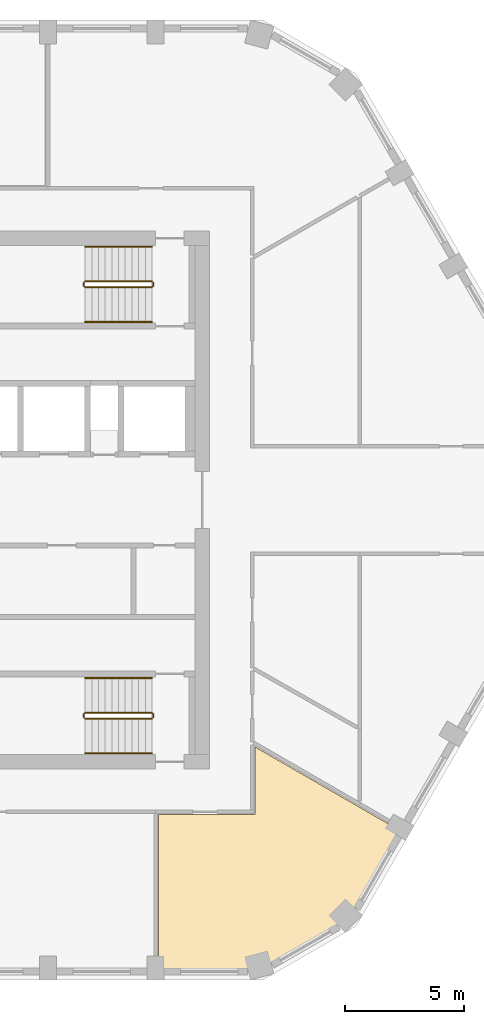
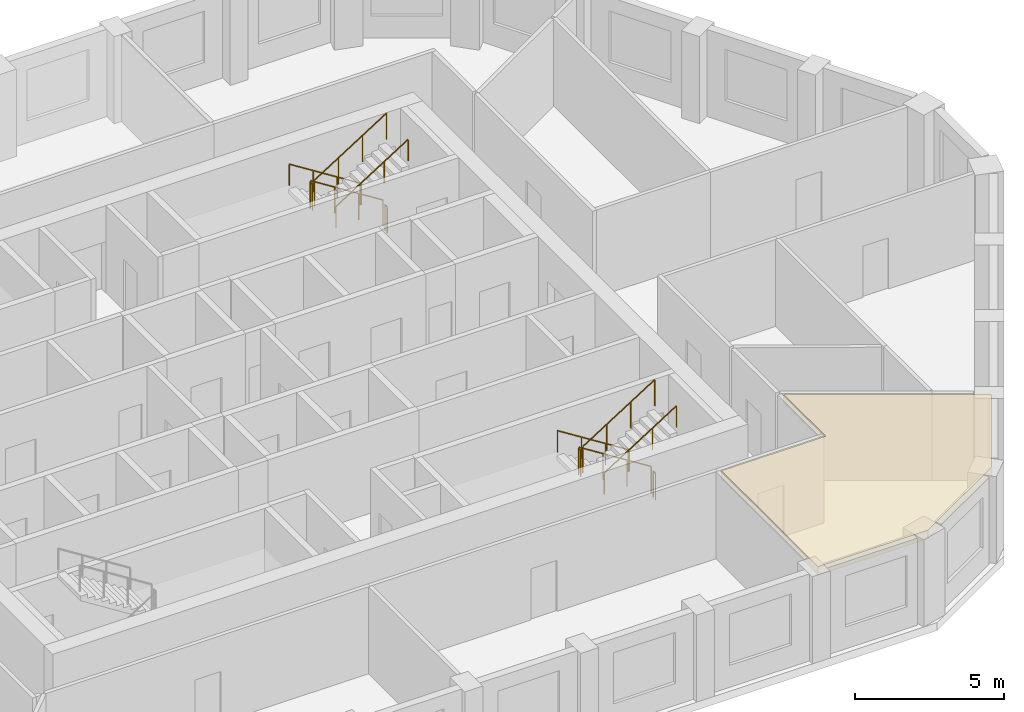
# One storey, part 9 of 10: 12 railings, 1 covering.
"""IFC4 building model written with IfcOpenShell, lengths in metres."""

from ifc_helpers import new_model, si_unit, direction, frame, origin, origin_2d, place, context, subcontext, project, spatial, polyline, circle, outline, extrude, material, layer, layer_set, type_object, element, save


model = new_model("IFC4")

# Units and contexts
model_context = context("Model", 3, precision=1e-05, world=origin(), true_north=direction((0.0, 1.0)))
body_context = subcontext(model_context, "Body", "Model", "MODEL_VIEW")
ifc_project = project(units=[si_unit("LENGTHUNIT", "METRE"), si_unit("AREAUNIT", "SQUARE_METRE"), si_unit("VOLUMEUNIT", "CUBIC_METRE"), si_unit("PLANEANGLEUNIT", "RADIAN"), si_unit("MASSUNIT", "GRAM", prefix="KILO")], contexts=[model_context])

# Site, building, storey
site_placement = place(None, origin())
site = spatial("IfcSite", under=ifc_project, at=site_placement, CompositionType="ELEMENT")
building_placement = place(site_placement, origin())
building = spatial("IfcBuilding", under=site, at=building_placement, Name="Dhurran Vertical Campus", CompositionType="ELEMENT")
storey_placement = place(building_placement, frame((0.0, 0.0, 246.89990234375)))
storey = spatial("IfcBuildingStorey", under=building, at=storey_placement, Name="L61", CompositionType="ELEMENT", Elevation=246.89990234375)

# Railings
ifc_material_1 = material(Name="Stainless steel balustrade", Category="steel")
railing_type_1 = type_object("IfcRailingType", Name="co-RL-GUARD-1100", PredefinedType="GUARDRAIL", material=ifc_material_1)
railing_1_placement = place(storey_placement, frame((11.10009765625, 9.14990234375, 0.177490234375)))
element("IfcRailing", 1, at=railing_1_placement, inside=storey, type_object=railing_type_1, Name="L61 ST2 stair guard 1", PredefinedType="GUARDRAIL", context=body_context, shape_type="SweptSolid", body=[
    extrude(circle(Radius=0.02392578125, at=origin_2d()), frame((0.0, 0.0, 1.076171875), z_axis=(-0.844908973607, 0.0, 0.534910110503), x_axis=(0.0, -1.0, 0.0)), (0.0, 0.0, 1.0), 3.31396484375),
    extrude(circle(Radius=0.02099609375, at=origin_2d()), origin(), (0.0, 0.0, 1.0), 1.052001953125),
    extrude(circle(Radius=0.02099609375, at=origin_2d()), frame((-0.933349609375, 0.0, 0.5908203125)), (0.0, 0.0, 1.0), 1.052001953125),
    extrude(circle(Radius=0.02099609375, at=origin_2d()), frame((-1.86669921875, 0.0, 1.181884765625)), (0.0, 0.0, 1.0), 1.052001953125),
    extrude(circle(Radius=0.02099609375, at=origin_2d()), frame((-2.800048828125, 0.0, 1.772705078125)), (0.0, 0.0, 1.0), 1.052001953125),
])
railing_2_placement = place(storey_placement, frame((8.25, 9.10009765625, 1.9501953125)))
element("IfcRailing", 2, at=railing_2_placement, inside=storey, type_object=railing_type_1, Name="L61 ST2 stair guard 2", PredefinedType="GUARDRAIL", context=body_context, shape_type="SweptSolid", body=[
    extrude(circle(Radius=0.02392578125, at=origin_2d()), frame((0.0, 0.0, 1.076171875), z_axis=(0.0, -1.0, 0.0), x_axis=(1.0, 0.0, 0.0)), (0.0, 0.0, 1.0), 0.150146484375),
    extrude(circle(Radius=0.02099609375, at=origin_2d()), origin(), (0.0, 0.0, 1.0), 1.052001953125),
    extrude(circle(Radius=0.02099609375, at=origin_2d()), frame((0.0, -0.150146484375, 0.0)), (0.0, 0.0, 1.0), 1.052001953125),
])
railing_3_placement = place(storey_placement, frame((8.300048828125, 8.89990234375, 2.12744140625)))
element("IfcRailing", 3, at=railing_3_placement, inside=storey, type_object=railing_type_1, Name="L61 ST2 stair guard 3", PredefinedType="GUARDRAIL", context=body_context, shape_type="SweptSolid", body=[
    extrude(circle(Radius=0.02392578125, at=origin_2d()), frame((0.0, 0.0, 1.076171875), z_axis=(0.844908973607, 0.0, 0.534910110503), x_axis=(0.0, 1.0, 0.0)), (0.0, 0.0, 1.0), 3.31396484375),
    extrude(circle(Radius=0.02099609375, at=origin_2d()), origin(), (0.0, 0.0, 1.0), 1.052001953125),
    extrude(circle(Radius=0.02099609375, at=origin_2d()), frame((0.933349609375, 0.0, 0.5908203125)), (0.0, 0.0, 1.0), 1.052001953125),
    extrude(circle(Radius=0.02099609375, at=origin_2d()), frame((1.86669921875, 0.0, 1.181884765625)), (0.0, 0.0, 1.0), 1.052001953125),
    extrude(circle(Radius=0.02099609375, at=origin_2d()), frame((2.800048828125, 0.0, 1.772705078125)), (0.0, 0.0, 1.0), 1.052001953125),
])
railing_4_placement = place(storey_placement, frame((11.14990234375, 9.10009765625, 0.0)))
element("IfcRailing", 4, at=railing_4_placement, inside=storey, type_object=railing_type_1, Name="L61 ST2 stair guard 4", PredefinedType="GUARDRAIL", context=body_context, shape_type="SweptSolid", body=[
    extrude(circle(Radius=0.02392578125, at=origin_2d()), frame((0.0, 0.0, 1.076171875), z_axis=(0.0, -1.0, 0.0), x_axis=(1.0, 0.0, 0.0)), (0.0, 0.0, 1.0), 0.150146484375),
    extrude(circle(Radius=0.02099609375, at=origin_2d()), origin(), (0.0, 0.0, 1.0), 1.052001953125),
    extrude(circle(Radius=0.02099609375, at=origin_2d()), frame((0.0, -0.150146484375, 0.0)), (0.0, 0.0, 1.0), 1.052001953125),
])
railing_5_placement = place(storey_placement, frame((11.10009765625, -8.89990234375, 0.177490234375)))
element("IfcRailing", 5, at=railing_5_placement, inside=storey, type_object=railing_type_1, Name="L61 ST4 stair guard 1", PredefinedType="GUARDRAIL", context=body_context, shape_type="SweptSolid", body=[
    extrude(circle(Radius=0.02392578125, at=origin_2d()), frame((0.0, 0.0, 1.076171875), z_axis=(-0.844908973607, 0.0, 0.534910110503), x_axis=(0.0, -1.0, 0.0)), (0.0, 0.0, 1.0), 3.31396484375),
    extrude(circle(Radius=0.02099609375, at=origin_2d()), origin(), (0.0, 0.0, 1.0), 1.052001953125),
    extrude(circle(Radius=0.02099609375, at=origin_2d()), frame((-0.933349609375, 0.0, 0.5908203125)), (0.0, 0.0, 1.0), 1.052001953125),
    extrude(circle(Radius=0.02099609375, at=origin_2d()), frame((-1.86669921875, 0.0, 1.181884765625)), (0.0, 0.0, 1.0), 1.052001953125),
    extrude(circle(Radius=0.02099609375, at=origin_2d()), frame((-2.800048828125, 0.0, 1.772705078125)), (0.0, 0.0, 1.0), 1.052001953125),
])
railing_6_placement = place(storey_placement, frame((8.25, -8.949951171875, 1.9501953125)))
element("IfcRailing", 6, at=railing_6_placement, inside=storey, type_object=railing_type_1, Name="L61 ST4 stair guard 2", PredefinedType="GUARDRAIL", context=body_context, shape_type="SweptSolid", body=[
    extrude(circle(Radius=0.02392578125, at=origin_2d()), frame((0.0, 0.0, 1.076171875), z_axis=(0.0, -1.0, 0.0), x_axis=(1.0, 0.0, 0.0)), (0.0, 0.0, 1.0), 0.150146484375),
    extrude(circle(Radius=0.02099609375, at=origin_2d()), origin(), (0.0, 0.0, 1.0), 1.052001953125),
    extrude(circle(Radius=0.02099609375, at=origin_2d()), frame((0.0, -0.150146484375, 0.0)), (0.0, 0.0, 1.0), 1.052001953125),
])
railing_7_placement = place(storey_placement, frame((8.300048828125, -9.14990234375, 2.12744140625)))
element("IfcRailing", 7, at=railing_7_placement, inside=storey, type_object=railing_type_1, Name="L61 ST4 stair guard 3", PredefinedType="GUARDRAIL", context=body_context, shape_type="SweptSolid", body=[
    extrude(circle(Radius=0.02392578125, at=origin_2d()), frame((0.0, 0.0, 1.076171875), z_axis=(0.844908973607, 0.0, 0.534910110503), x_axis=(0.0, 1.0, 0.0)), (0.0, 0.0, 1.0), 3.31396484375),
    extrude(circle(Radius=0.02099609375, at=origin_2d()), origin(), (0.0, 0.0, 1.0), 1.052001953125),
    extrude(circle(Radius=0.02099609375, at=origin_2d()), frame((0.933349609375, 0.0, 0.5908203125)), (0.0, 0.0, 1.0), 1.052001953125),
    extrude(circle(Radius=0.02099609375, at=origin_2d()), frame((1.86669921875, 0.0, 1.181884765625)), (0.0, 0.0, 1.0), 1.052001953125),
    extrude(circle(Radius=0.02099609375, at=origin_2d()), frame((2.800048828125, 0.0, 1.772705078125)), (0.0, 0.0, 1.0), 1.052001953125),
])
railing_8_placement = place(storey_placement, frame((11.14990234375, -8.949951171875, 0.0)))
element("IfcRailing", 8, at=railing_8_placement, inside=storey, type_object=railing_type_1, Name="L61 ST4 stair guard 4", PredefinedType="GUARDRAIL", context=body_context, shape_type="SweptSolid", body=[
    extrude(circle(Radius=0.02392578125, at=origin_2d()), frame((0.0, 0.0, 1.076171875), z_axis=(0.0, -1.0, 0.0), x_axis=(1.0, 0.0, 0.0)), (0.0, 0.0, 1.0), 0.150146484375),
    extrude(circle(Radius=0.02099609375, at=origin_2d()), origin(), (0.0, 0.0, 1.0), 1.052001953125),
    extrude(circle(Radius=0.02099609375, at=origin_2d()), frame((0.0, -0.150146484375, 0.0)), (0.0, 0.0, 1.0), 1.052001953125),
])
ifc_material_2 = material(Name="Stainless steel handrail", Category="steel")
railing_type_2 = type_object("IfcRailingType", Name="co-RL-HANDRAIL-900", PredefinedType="HANDRAIL", material=ifc_material_2)
railing_9_placement = place(storey_placement, frame((11.10009765625, 10.60009765625, 0.177490234375)))
element("IfcRailing", 9, at=railing_9_placement, inside=storey, type_object=railing_type_2, Name="L61 ST2 stair handrail 1", PredefinedType="HANDRAIL", context=body_context, shape_type="SweptSolid", body=[
    extrude(circle(Radius=0.02392578125, at=origin_2d()), frame((0.0, 0.0, 0.8759765625), z_axis=(-0.844908973607, 0.0, 0.534910110503), x_axis=(0.0, -1.0, 0.0)), (0.0, 0.0, 1.0), 3.31396484375),
    extrude(circle(Radius=0.02099609375, at=origin_2d()), origin(), (0.0, 0.0, 1.0), 0.851806640625),
    extrude(circle(Radius=0.02099609375, at=origin_2d()), frame((-0.933349609375, 0.0, 0.5908203125)), (0.0, 0.0, 1.0), 0.851806640625),
    extrude(circle(Radius=0.02099609375, at=origin_2d()), frame((-1.86669921875, 0.0, 1.181884765625)), (0.0, 0.0, 1.0), 0.851806640625),
    extrude(circle(Radius=0.02099609375, at=origin_2d()), frame((-2.800048828125, 0.0, 1.772705078125)), (0.0, 0.0, 1.0), 0.851806640625),
])
railing_10_placement = place(storey_placement, frame((8.300048828125, 7.449951171875, 2.12744140625)))
element("IfcRailing", 10, at=railing_10_placement, inside=storey, type_object=railing_type_2, Name="L61 ST2 stair handrail 2", PredefinedType="HANDRAIL", context=body_context, shape_type="SweptSolid", body=[
    extrude(circle(Radius=0.02392578125, at=origin_2d()), frame((0.0, 0.0, 0.8759765625), z_axis=(0.844908973607, 0.0, 0.534910110503), x_axis=(0.0, 1.0, 0.0)), (0.0, 0.0, 1.0), 3.31396484375),
    extrude(circle(Radius=0.02099609375, at=origin_2d()), origin(), (0.0, 0.0, 1.0), 0.851806640625),
    extrude(circle(Radius=0.02099609375, at=origin_2d()), frame((0.933349609375, 0.0, 0.5908203125)), (0.0, 0.0, 1.0), 0.851806640625),
    extrude(circle(Radius=0.02099609375, at=origin_2d()), frame((1.86669921875, 0.0, 1.181884765625)), (0.0, 0.0, 1.0), 0.851806640625),
    extrude(circle(Radius=0.02099609375, at=origin_2d()), frame((2.800048828125, 0.0, 1.772705078125)), (0.0, 0.0, 1.0), 0.851806640625),
])
railing_11_placement = place(storey_placement, frame((11.10009765625, -7.449951171875, 0.177490234375)))
element("IfcRailing", 11, at=railing_11_placement, inside=storey, type_object=railing_type_2, Name="L61 ST4 stair handrail 1", PredefinedType="HANDRAIL", context=body_context, shape_type="SweptSolid", body=[
    extrude(circle(Radius=0.02392578125, at=origin_2d()), frame((0.0, 0.0, 0.8759765625), z_axis=(-0.844908973607, 0.0, 0.534910110503), x_axis=(0.0, -1.0, 0.0)), (0.0, 0.0, 1.0), 3.31396484375),
    extrude(circle(Radius=0.02099609375, at=origin_2d()), origin(), (0.0, 0.0, 1.0), 0.851806640625),
    extrude(circle(Radius=0.02099609375, at=origin_2d()), frame((-0.933349609375, 0.0, 0.5908203125)), (0.0, 0.0, 1.0), 0.851806640625),
    extrude(circle(Radius=0.02099609375, at=origin_2d()), frame((-1.86669921875, 0.0, 1.181884765625)), (0.0, 0.0, 1.0), 0.851806640625),
    extrude(circle(Radius=0.02099609375, at=origin_2d()), frame((-2.800048828125, 0.0, 1.772705078125)), (0.0, 0.0, 1.0), 0.851806640625),
])
railing_12_placement = place(storey_placement, frame((8.300048828125, -10.60009765625, 2.12744140625)))
element("IfcRailing", 12, at=railing_12_placement, inside=storey, type_object=railing_type_2, Name="L61 ST4 stair handrail 2", PredefinedType="HANDRAIL", context=body_context, shape_type="SweptSolid", body=[
    extrude(circle(Radius=0.02392578125, at=origin_2d()), frame((0.0, 0.0, 0.8759765625), z_axis=(0.844908973607, 0.0, 0.534910110503), x_axis=(0.0, 1.0, 0.0)), (0.0, 0.0, 1.0), 3.31396484375),
    extrude(circle(Radius=0.02099609375, at=origin_2d()), origin(), (0.0, 0.0, 1.0), 0.851806640625),
    extrude(circle(Radius=0.02099609375, at=origin_2d()), frame((0.933349609375, 0.0, 0.5908203125)), (0.0, 0.0, 1.0), 0.851806640625),
    extrude(circle(Radius=0.02099609375, at=origin_2d()), frame((1.86669921875, 0.0, 1.181884765625)), (0.0, 0.0, 1.0), 0.851806640625),
    extrude(circle(Radius=0.02099609375, at=origin_2d()), frame((2.800048828125, 0.0, 1.772705078125)), (0.0, 0.0, 1.0), 0.851806640625),
])

# Covering
ifc_material_3 = material(Name="Mineral fibre ceiling tiles on suspended grid")
ifc_layer = layer(ifc_material_3, 0.35009765625)
ifc_layer_set = layer_set([ifc_layer], Name="Mineral fibre ceiling tiles on suspended grid")
covering_type = type_object("IfcCoveringType", Name="fl-CE-350 suspended ceiling", PredefinedType="CEILING", material=ifc_layer_set)
covering_placement = place(storey_placement, frame((0.0, 0.0, 3.22509765625)))
element("IfcCovering", 13, at=covering_placement, inside=storey, type_object=covering_type, Name="Ceiling 61-10", PredefinedType="CEILING", context=body_context, shape_type="SweptSolid", body=[
    extrude(outline(polyline([(21.472900390625, -13.8349609375), (19.339111328125, -17.531005859375), (15.637939453125, -19.66796875), (11.3701171875, -19.66796875), (11.3701171875, -13.169921875), (15.419921875, -13.169921875), (15.419921875, -10.340087890625), (21.472900390625, -13.8349609375)])), origin(), (0.0, 0.0, 1.0), 0.35009765625),
])

save(model, "model.ifc")
